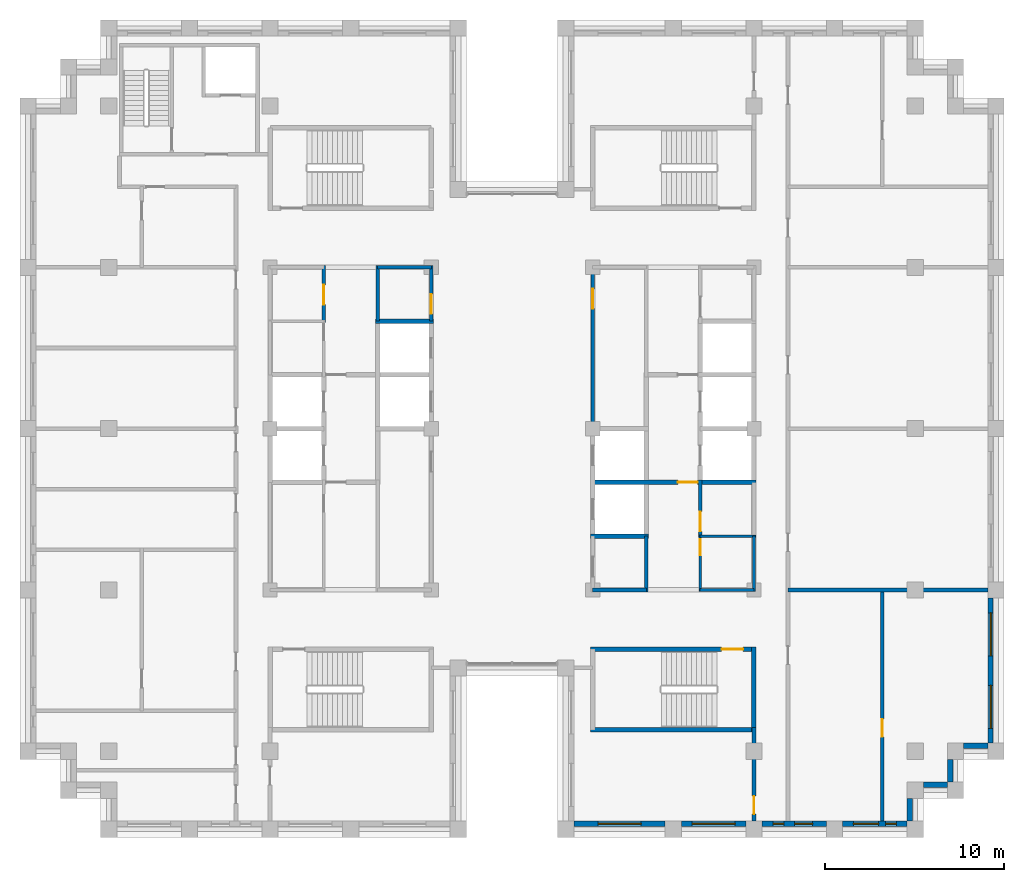
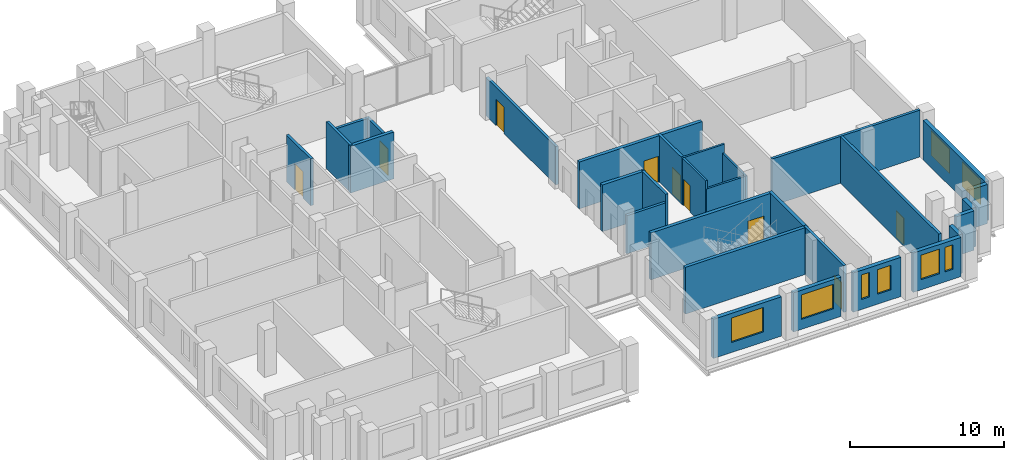
# One storey, part 8 of 13: 30 walls, 9 doors, 8 windows, 17 openings.
"""IFC4 building model written with IfcOpenShell, lengths in metres."""

from ifc_helpers import new_model, si_unit, direction, frame, frame_2d, origin, place, context, subcontext, project, spatial, rectangle, extrude, material, layer, layer_set, type_object, element, fill, save


model = new_model("IFC4")

# Units and contexts
model_context = context("Model", 3, precision=1e-05, world=origin(), true_north=direction((0.0, 1.0)))
body_context = subcontext(model_context, "Body", "Model", "MODEL_VIEW")
ifc_project = project(units=[si_unit("LENGTHUNIT", "METRE"), si_unit("AREAUNIT", "SQUARE_METRE"), si_unit("VOLUMEUNIT", "CUBIC_METRE"), si_unit("PLANEANGLEUNIT", "RADIAN"), si_unit("MASSUNIT", "GRAM", prefix="KILO")], contexts=[model_context])

# Site, building, storey
site_placement = place(None, origin())
site = spatial("IfcSite", under=ifc_project, at=site_placement, CompositionType="ELEMENT")
building_placement = place(site_placement, origin())
building = spatial("IfcBuilding", under=site, at=building_placement, Name="Corbelhall Arena Tower", CompositionType="ELEMENT")
storey_placement = place(building_placement, frame((0.0, 0.0, 282.0)))
storey = spatial("IfcBuildingStorey", under=building, at=storey_placement, Name="L61", CompositionType="ELEMENT", Elevation=282.0)

# Wall, opening, window
ifc_material_1 = material(Name="Precast concrete C40/50 with granite facing", Category="masonry")
ifc_layer_1 = layer(ifc_material_1, 0.300048828125)
ifc_layer_set_1 = layer_set([ifc_layer_1], Name="EV-IW1 Infill panel 300")
wall_type_1 = type_object("IfcWallType", Name="EV-IW1 Infill panel 300", PredefinedType="SOLIDWALL", material=ifc_layer_set_1)
wall_1_placement = place(storey_placement, frame((3.449951171875, -22.050048828125, 0.0), z_axis=(0.0, 0.0, 1.0), x_axis=(1.0, 0.0, 0.0)))
wall_1 = element("IfcWall", 1, at=wall_1_placement, inside=storey, type_object=wall_type_1, Name="Infill panel IW1", PredefinedType="SOLIDWALL", context=body_context, shape_type="SweptSolid", body=[
    extrude(rectangle(XDim=5.10009765625, YDim=0.300048828125, at=frame_2d((2.550048828125, 0.0))), origin(), (0.0, 0.0, 1.0), 3.1201171875),
])
opening_1_placement = place(wall_1_placement, frame((1.35009765625, 0.0, 0.800048828125)))
opening_1 = element("IfcOpeningElement", 2, at=opening_1_placement, cuts=wall_1, Name="Opening WN1", PredefinedType="OPENING", context=body_context, shape_type="SweptSolid", body=[
    extrude(rectangle(XDim=2.39990234375, YDim=1.949951171875, at=frame_2d((1.199951171875, 0.97509765625))), frame((0.0, 0.14990234375, 0.0), z_axis=(0.0, -1.0, 0.0), x_axis=(1.0, 0.0, 0.0)), (0.0, 0.0, 1.0), 0.300048828125),
])
ifc_material_2 = material(Name="Aluminium black anodised", Category="aluminium")
window_type_1 = type_object("IfcWindowType", Name="EV-WN1 Office window", PartitioningType="SINGLE_PANEL", PredefinedType="WINDOW", material=ifc_material_2)
window_1_placement = place(opening_1_placement, origin())
window_1 = element("IfcWindow", 3, at=window_1_placement, inside=storey, type_object=window_type_1, Name="Window WN1", OverallHeight=1.949951171875, OverallWidth=2.39990234375, PartitioningType="SINGLE_PANEL", PredefinedType="WINDOW", context=body_context, shape_type="SweptSolid", body=[
    extrude(rectangle(XDim=2.39990234375, YDim=1.949951171875, at=frame_2d((1.199951171875, 0.97509765625))), frame((0.0, 0.030029296875, 0.0), z_axis=(0.0, -1.0, 0.0), x_axis=(1.0, 0.0, 0.0)), (0.0, 0.0, 1.0), 0.06005859375),
])
fill(opening_1, window_1)

wall_2_placement = place(storey_placement, frame((9.449951171875, -22.050048828125, 0.0), z_axis=(0.0, 0.0, 1.0), x_axis=(1.0, 0.0, 0.0)))
wall_2 = element("IfcWall", 4, at=wall_2_placement, inside=storey, type_object=wall_type_1, Name="Infill panel IW1", PredefinedType="SOLIDWALL", context=body_context, shape_type="SweptSolid", body=[
    extrude(rectangle(XDim=3.60009765625, YDim=0.300048828125, at=frame_2d((1.800048828125, 0.0))), origin(), (0.0, 0.0, 1.0), 3.1201171875),
])
opening_2_placement = place(wall_2_placement, frame((0.60009765625, 0.0, 0.800048828125)))
opening_2 = element("IfcOpeningElement", 5, at=opening_2_placement, cuts=wall_2, Name="Opening WN1", PredefinedType="OPENING", context=body_context, shape_type="SweptSolid", body=[
    extrude(rectangle(XDim=2.39990234375, YDim=1.949951171875, at=frame_2d((1.199951171875, 0.97509765625))), frame((0.0, 0.14990234375, 0.0), z_axis=(0.0, -1.0, 0.0), x_axis=(1.0, 0.0, 0.0)), (0.0, 0.0, 1.0), 0.300048828125),
])
window_2_placement = place(opening_2_placement, origin())
window_2 = element("IfcWindow", 6, at=window_2_placement, inside=storey, type_object=window_type_1, Name="Window WN1", OverallHeight=1.949951171875, OverallWidth=2.39990234375, PartitioningType="SINGLE_PANEL", PredefinedType="WINDOW", context=body_context, shape_type="SweptSolid", body=[
    extrude(rectangle(XDim=2.39990234375, YDim=1.949951171875, at=frame_2d((1.199951171875, 0.97509765625))), frame((0.0, 0.030029296875, 0.0), z_axis=(0.0, -1.0, 0.0), x_axis=(1.0, 0.0, 0.0)), (0.0, 0.0, 1.0), 0.06005859375),
])
fill(opening_2, window_2)

# Wall, openings, windows
wall_3_placement = place(storey_placement, frame((13.949951171875, -22.050048828125, 0.0), z_axis=(0.0, 0.0, 1.0), x_axis=(1.0, 0.0, 0.0)))
wall_3 = element("IfcWall", 7, at=wall_3_placement, inside=storey, type_object=wall_type_1, Name="Infill panel IW1", PredefinedType="SOLIDWALL", context=body_context, shape_type="SweptSolid", body=[
    extrude(rectangle(XDim=3.60009765625, YDim=0.300048828125, at=frame_2d((1.800048828125, 0.0))), origin(), (0.0, 0.0, 1.0), 3.1201171875),
])
opening_3_placement = place(wall_3_placement, frame((0.625, 0.0, 0.800048828125)))
opening_3 = element("IfcOpeningElement", 8, at=opening_3_placement, cuts=wall_3, Name="Opening WN5", PredefinedType="OPENING", context=body_context, shape_type="SweptSolid", body=[
    extrude(rectangle(XDim=0.60009765625, YDim=1.949951171875, at=frame_2d((0.300048828125, 0.97509765625))), frame((0.0, 0.14990234375, 0.0), z_axis=(0.0, -1.0, 0.0), x_axis=(1.0, 0.0, 0.0)), (0.0, 0.0, 1.0), 0.300048828125),
])
opening_4_placement = place(wall_3_placement, frame((1.824951171875, 0.0, 0.800048828125)))
opening_4 = element("IfcOpeningElement", 9, at=opening_4_placement, cuts=wall_3, Name="Opening WN6", PredefinedType="OPENING", context=body_context, shape_type="SweptSolid", body=[
    extrude(rectangle(XDim=1.0, YDim=1.949951171875, at=frame_2d((0.5, 0.97509765625))), frame((0.0, 0.14990234375, 0.0), z_axis=(0.0, -1.0, 0.0), x_axis=(1.0, 0.0, 0.0)), (0.0, 0.0, 1.0), 0.300048828125),
])
window_type_2 = type_object("IfcWindowType", Name="EV-WN5 Office window 600", PartitioningType="SINGLE_PANEL", PredefinedType="WINDOW", material=ifc_material_2)
window_3_placement = place(opening_3_placement, origin())
window_3 = element("IfcWindow", 10, at=window_3_placement, inside=storey, type_object=window_type_2, Name="Window WN5", OverallHeight=1.949951171875, OverallWidth=0.60009765625, PartitioningType="SINGLE_PANEL", PredefinedType="WINDOW", context=body_context, shape_type="SweptSolid", body=[
    extrude(rectangle(XDim=0.60009765625, YDim=1.949951171875, at=frame_2d((0.300048828125, 0.97509765625))), frame((0.0, 0.030029296875, 0.0), z_axis=(0.0, -1.0, 0.0), x_axis=(1.0, 0.0, 0.0)), (0.0, 0.0, 1.0), 0.06005859375),
])
fill(opening_3, window_3)
window_type_3 = type_object("IfcWindowType", Name="EV-WN6 Office window 1000", PartitioningType="SINGLE_PANEL", PredefinedType="WINDOW", material=ifc_material_2)
window_4_placement = place(opening_4_placement, origin())
window_4 = element("IfcWindow", 11, at=window_4_placement, inside=storey, type_object=window_type_3, Name="Window WN6", OverallHeight=1.949951171875, OverallWidth=1.0, PartitioningType="SINGLE_PANEL", PredefinedType="WINDOW", context=body_context, shape_type="SweptSolid", body=[
    extrude(rectangle(XDim=1.0, YDim=1.949951171875, at=frame_2d((0.5, 0.97509765625))), frame((0.0, 0.030029296875, 0.0), z_axis=(0.0, -1.0, 0.0), x_axis=(1.0, 0.0, 0.0)), (0.0, 0.0, 1.0), 0.06005859375),
])
fill(opening_4, window_4)

wall_4_placement = place(storey_placement, frame((18.449951171875, -22.050048828125, 0.0), z_axis=(0.0, 0.0, 1.0), x_axis=(1.0, 0.0, 0.0)))
wall_4 = element("IfcWall", 12, at=wall_4_placement, inside=storey, type_object=wall_type_1, Name="Infill panel IW1", PredefinedType="SOLIDWALL", context=body_context, shape_type="SweptSolid", body=[
    extrude(rectangle(XDim=3.60009765625, YDim=0.300048828125, at=frame_2d((1.800048828125, 0.0))), origin(), (0.0, 0.0, 1.0), 3.1201171875),
])
opening_5_placement = place(wall_4_placement, frame((0.60009765625, 0.0, 0.800048828125)))
opening_5 = element("IfcOpeningElement", 13, at=opening_5_placement, cuts=wall_4, Name="Opening WN7", PredefinedType="OPENING", context=body_context, shape_type="SweptSolid", body=[
    extrude(rectangle(XDim=1.39990234375, YDim=1.949951171875, at=frame_2d((0.699951171875, 0.97509765625))), frame((0.0, 0.14990234375, 0.0), z_axis=(0.0, -1.0, 0.0), x_axis=(1.0, 0.0, 0.0)), (0.0, 0.0, 1.0), 0.300048828125),
])
opening_6_placement = place(wall_4_placement, frame((2.39990234375, 0.0, 0.800048828125)))
opening_6 = element("IfcOpeningElement", 14, at=opening_6_placement, cuts=wall_4, Name="Opening WN5", PredefinedType="OPENING", context=body_context, shape_type="SweptSolid", body=[
    extrude(rectangle(XDim=0.60009765625, YDim=1.949951171875, at=frame_2d((0.300048828125, 0.97509765625))), frame((0.0, 0.14990234375, 0.0), z_axis=(0.0, -1.0, 0.0), x_axis=(1.0, 0.0, 0.0)), (0.0, 0.0, 1.0), 0.300048828125),
])
window_5_placement = place(opening_6_placement, origin())
window_5 = element("IfcWindow", 15, at=window_5_placement, inside=storey, type_object=window_type_2, Name="Window WN5", OverallHeight=1.949951171875, OverallWidth=0.60009765625, PartitioningType="SINGLE_PANEL", PredefinedType="WINDOW", context=body_context, shape_type="SweptSolid", body=[
    extrude(rectangle(XDim=0.60009765625, YDim=1.949951171875, at=frame_2d((0.300048828125, 0.97509765625))), frame((0.0, 0.030029296875, 0.0), z_axis=(0.0, -1.0, 0.0), x_axis=(1.0, 0.0, 0.0)), (0.0, 0.0, 1.0), 0.06005859375),
])
fill(opening_6, window_5)
window_type_4 = type_object("IfcWindowType", Name="EV-WN7 Office window 1400", PartitioningType="SINGLE_PANEL", PredefinedType="WINDOW", material=ifc_material_2)
window_6_placement = place(opening_5_placement, origin())
window_6 = element("IfcWindow", 16, at=window_6_placement, inside=storey, type_object=window_type_4, Name="Window WN7", OverallHeight=1.949951171875, OverallWidth=1.39990234375, PartitioningType="SINGLE_PANEL", PredefinedType="WINDOW", context=body_context, shape_type="SweptSolid", body=[
    extrude(rectangle(XDim=1.39990234375, YDim=1.949951171875, at=frame_2d((0.699951171875, 0.97509765625))), frame((0.0, 0.030029296875, 0.0), z_axis=(0.0, -1.0, 0.0), x_axis=(1.0, 0.0, 0.0)), (0.0, 0.0, 1.0), 0.06005859375),
])
fill(opening_5, window_6)

# Walls
wall_5_placement = place(storey_placement, frame((22.199951171875, -21.89990234375, 0.0), z_axis=(0.0, 0.0, 1.0), x_axis=(0.0, 1.0, 0.0)))
element("IfcWall", 17, at=wall_5_placement, inside=storey, type_object=wall_type_1, Name="Infill panel IW1", PredefinedType="SOLIDWALL", context=body_context, shape_type="SweptSolid", body=[
    extrude(rectangle(XDim=1.27490234375, YDim=0.300048828125, at=frame_2d((0.637451171875, 0.0))), origin(), (0.0, 0.0, 1.0), 3.1201171875),
])
wall_6_placement = place(storey_placement, frame((22.949951171875, -19.875, 0.0), z_axis=(0.0, 0.0, 1.0), x_axis=(1.0, 0.0, 0.0)))
element("IfcWall", 18, at=wall_6_placement, inside=storey, type_object=wall_type_1, Name="Infill panel IW1", PredefinedType="SOLIDWALL", context=body_context, shape_type="SweptSolid", body=[
    extrude(rectangle(XDim=1.35009765625, YDim=0.300048828125, at=frame_2d((0.675048828125, 0.0))), origin(), (0.0, 0.0, 1.0), 3.1201171875),
])
wall_7_placement = place(storey_placement, frame((24.449951171875, -19.72509765625, 0.0), z_axis=(0.0, 0.0, 1.0), x_axis=(0.0, 1.0, 0.0)))
element("IfcWall", 19, at=wall_7_placement, inside=storey, type_object=wall_type_1, Name="Infill panel IW1", PredefinedType="SOLIDWALL", context=body_context, shape_type="SweptSolid", body=[
    extrude(rectangle(XDim=1.275146484375, YDim=0.300048828125, at=frame_2d((0.6376953125, 0.0))), origin(), (0.0, 0.0, 1.0), 3.1201171875),
])
wall_8_placement = place(storey_placement, frame((25.199951171875, -17.699951171875, 0.0), z_axis=(0.0, 0.0, 1.0), x_axis=(1.0, 0.0, 0.0)))
element("IfcWall", 20, at=wall_8_placement, inside=storey, type_object=wall_type_1, Name="Infill panel IW1", PredefinedType="SOLIDWALL", context=body_context, shape_type="SweptSolid", body=[
    extrude(rectangle(XDim=1.35009765625, YDim=0.300048828125, at=frame_2d((0.675048828125, 0.0))), origin(), (0.0, 0.0, 1.0), 3.1201171875),
])

# Wall, openings, windows
wall_9_placement = place(storey_placement, frame((26.699951171875, -17.550048828125, 0.0), z_axis=(0.0, 0.0, 1.0), x_axis=(0.0, 1.0, 0.0)))
wall_9 = element("IfcWall", 21, at=wall_9_placement, inside=storey, type_object=wall_type_1, Name="Infill panel IW1", PredefinedType="SOLIDWALL", context=body_context, shape_type="SweptSolid", body=[
    extrude(rectangle(XDim=8.10009765625, YDim=0.300048828125, at=frame_2d((4.050048828125, 0.0))), origin(), (0.0, 0.0, 1.0), 3.1201171875),
])
opening_7_placement = place(wall_9_placement, frame((0.824951171875, 0.0, 0.800048828125)))
opening_7 = element("IfcOpeningElement", 22, at=opening_7_placement, cuts=wall_9, Name="Opening WN1", PredefinedType="OPENING", context=body_context, shape_type="SweptSolid", body=[
    extrude(rectangle(XDim=2.39990234375, YDim=1.949951171875, at=frame_2d((1.199951171875, 0.97509765625))), frame((0.0, 0.14990234375, 0.0), z_axis=(0.0, -1.0, 0.0), x_axis=(1.0, 0.0, 0.0)), (0.0, 0.0, 1.0), 0.300048828125),
])
opening_8_placement = place(wall_9_placement, frame((4.875, 0.0, 0.800048828125)))
opening_8 = element("IfcOpeningElement", 23, at=opening_8_placement, cuts=wall_9, Name="Opening WN1", PredefinedType="OPENING", context=body_context, shape_type="SweptSolid", body=[
    extrude(rectangle(XDim=2.39990234375, YDim=1.949951171875, at=frame_2d((1.199951171875, 0.97509765625))), frame((0.0, 0.14990234375, 0.0), z_axis=(0.0, -1.0, 0.0), x_axis=(1.0, 0.0, 0.0)), (0.0, 0.0, 1.0), 0.300048828125),
])
window_7_placement = place(opening_7_placement, origin())
window_7 = element("IfcWindow", 24, at=window_7_placement, inside=storey, type_object=window_type_1, Name="Window WN1", OverallHeight=1.949951171875, OverallWidth=2.39990234375, PartitioningType="SINGLE_PANEL", PredefinedType="WINDOW", context=body_context, shape_type="SweptSolid", body=[
    extrude(rectangle(XDim=2.39990234375, YDim=1.949951171875, at=frame_2d((1.199951171875, 0.97509765625))), frame((0.0, 0.030029296875, 0.0), z_axis=(0.0, -1.0, 0.0), x_axis=(1.0, 0.0, 0.0)), (0.0, 0.0, 1.0), 0.06005859375),
])
fill(opening_7, window_7)
window_8_placement = place(opening_8_placement, origin())
window_8 = element("IfcWindow", 25, at=window_8_placement, inside=storey, type_object=window_type_1, Name="Window WN1", OverallHeight=1.949951171875, OverallWidth=2.39990234375, PartitioningType="SINGLE_PANEL", PredefinedType="WINDOW", context=body_context, shape_type="SweptSolid", body=[
    extrude(rectangle(XDim=2.39990234375, YDim=1.949951171875, at=frame_2d((1.199951171875, 0.97509765625))), frame((0.0, 0.030029296875, 0.0), z_axis=(0.0, -1.0, 0.0), x_axis=(1.0, 0.0, 0.0)), (0.0, 0.0, 1.0), 0.06005859375),
])
fill(opening_8, window_8)

# Wall, opening, door
ifc_material_3 = material(Name="Gypsum board on steel stud, acoustic", Category="steel")
ifc_layer_2 = layer(ifc_material_3, 0.199951171875)
ifc_layer_set_2 = layer_set([ifc_layer_2], Name="IN-W-DM200")
wall_type_2 = type_object("IfcWallType", Name="IN-W-DM200", PredefinedType="PARTITIONING", material=ifc_layer_set_2)
wall_10_placement = place(storey_placement, frame((13.5, -21.89990234375, 0.0), z_axis=(0.0, 0.0, 1.0), x_axis=(0.0, 1.0, 0.0)))
wall_10 = element("IfcWall", 26, at=wall_10_placement, inside=storey, type_object=wall_type_2, Name="Partition 017", PredefinedType="PARTITIONING", context=body_context, shape_type="SweptSolid", body=[
    extrude(rectangle(XDim=5.224853515625, YDim=0.199951171875, at=frame_2d((2.6123046875, 0.0))), origin(), (0.0, 0.0, 1.0), 3.719970703125),
])
opening_9_placement = place(wall_10_placement, frame((0.39990234375, 0.0, 0.0)))
opening_9 = element("IfcOpeningElement", 27, at=opening_9_placement, cuts=wall_10, Name="Opening 19021", PredefinedType="OPENING", context=body_context, shape_type="SweptSolid", body=[
    extrude(rectangle(XDim=1.0, YDim=2.10009765625, at=frame_2d((0.5, 1.050048828125))), frame((0.0, 0.10009765625, 0.0), z_axis=(0.0, -1.0, 0.0), x_axis=(1.0, 0.0, 0.0)), (0.0, 0.0, 1.0), 0.199951171875),
])
ifc_material_4 = material(Name="Steel door set", Category="steel")
door_type_1 = type_object("IfcDoorType", Name="IN-D-SW100", OperationType="NOTDEFINED", PredefinedType="DOOR", material=ifc_material_4)
door_1_placement = place(opening_9_placement, origin())
door_1 = element("IfcDoor", 28, at=door_1_placement, inside=storey, type_object=door_type_1, Name="Door 021", OperationType="SINGLE_SWING_RIGHT", OverallHeight=2.10009765625, OverallWidth=1.0, PredefinedType="DOOR", context=body_context, shape_type="SweptSolid", body=[
    extrude(rectangle(XDim=1.0, YDim=2.10009765625, at=frame_2d((0.5, 1.050048828125))), frame((0.0, 0.02490234375, 0.0), z_axis=(0.0, -1.0, 0.0), x_axis=(1.0, 0.0, 0.0)), (0.0, 0.0, 1.0), 0.050048828125),
])
fill(opening_9, door_1)

# Wall
wall_11_placement = place(storey_placement, frame((15.39990234375, -9.0, 0.0), z_axis=(0.0, 0.0, 1.0), x_axis=(1.0, 0.0, 0.0)))
element("IfcWall", 29, at=wall_11_placement, inside=storey, type_object=wall_type_2, Name="Partition 019", PredefinedType="PARTITIONING", context=body_context, shape_type="SweptSolid", body=[
    extrude(rectangle(XDim=11.150146484375, YDim=0.199951171875, at=frame_2d((5.5751953125, 0.0))), origin(), (0.0, 0.0, 1.0), 3.719970703125),
])

# Wall, opening, door
wall_12_placement = place(storey_placement, frame((20.64990234375, -8.89990234375, 0.0), z_axis=(0.0, 0.0, 1.0), x_axis=(0.0, -1.0, 0.0)))
wall_12 = element("IfcWall", 30, at=wall_12_placement, inside=storey, type_object=wall_type_2, Name="Partition 023", PredefinedType="PARTITIONING", context=body_context, shape_type="SweptSolid", body=[
    extrude(rectangle(XDim=13.0, YDim=0.199951171875, at=frame_2d((6.5, 0.0))), origin(), (0.0, 0.0, 1.0), 3.719970703125),
])
opening_10_placement = place(wall_12_placement, frame((7.300048828125, 0.0, 0.0)))
opening_10 = element("IfcOpeningElement", 31, at=opening_10_placement, cuts=wall_12, Name="Opening 19037", PredefinedType="OPENING", context=body_context, shape_type="SweptSolid", body=[
    extrude(rectangle(XDim=1.0, YDim=2.10009765625, at=frame_2d((0.5, 1.050048828125))), frame((0.0, 0.10009765625, 0.0), z_axis=(0.0, -1.0, 0.0), x_axis=(1.0, 0.0, 0.0)), (0.0, 0.0, 1.0), 0.199951171875),
])
door_2_placement = place(opening_10_placement, origin())
door_2 = element("IfcDoor", 32, at=door_2_placement, inside=storey, type_object=door_type_1, Name="Door 037", OperationType="SINGLE_SWING_RIGHT", OverallHeight=2.10009765625, OverallWidth=1.0, PredefinedType="DOOR", context=body_context, shape_type="SweptSolid", body=[
    extrude(rectangle(XDim=1.0, YDim=2.10009765625, at=frame_2d((0.5, 1.050048828125))), frame((0.0, 0.02490234375, 0.0), z_axis=(0.0, -1.0, 0.0), x_axis=(1.0, 0.0, 0.0)), (0.0, 0.0, 1.0), 0.050048828125),
])
fill(opening_10, door_2)

ifc_material_5 = material(Name="Concrete block wall", Category="concrete")
ifc_layer_3 = layer(ifc_material_5, 0.199951171875)
ifc_layer_set_3 = layer_set([ifc_layer_3], Name="IN-W-RS200")
wall_type_3 = type_object("IfcWallType", Name="IN-W-RS200", PredefinedType="SOLIDWALL", material=ifc_layer_set_3)
wall_13_placement = place(storey_placement, frame((-10.5, 5.925048828125, 0.0), z_axis=(0.0, 0.0, 1.0), x_axis=(0.0, 1.0, 0.0)))
wall_13 = element("IfcWall", 33, at=wall_13_placement, inside=storey, type_object=wall_type_3, Name="Partition 028", PredefinedType="SOLIDWALL", context=body_context, shape_type="SweptSolid", body=[
    extrude(rectangle(XDim=3.175048828125, YDim=0.199951171875, at=frame_2d((1.58740234375, 0.0))), origin(), (0.0, 0.0, 1.0), 3.719970703125),
])
opening_11_placement = place(wall_13_placement, frame((1.0, 0.0, 0.0)))
opening_11 = element("IfcOpeningElement", 34, at=opening_11_placement, cuts=wall_13, Name="Opening 19007", PredefinedType="OPENING", context=body_context, shape_type="SweptSolid", body=[
    extrude(rectangle(XDim=1.10009765625, YDim=2.10009765625, at=frame_2d((0.550048828125, 1.050048828125))), frame((0.0, 0.10009765625, 0.0), z_axis=(0.0, -1.0, 0.0), x_axis=(1.0, 0.0, 0.0)), (0.0, 0.0, 1.0), 0.199951171875),
])
door_type_2 = type_object("IfcDoorType", Name="IN-D-FD110", OperationType="NOTDEFINED", PredefinedType="DOOR", material=ifc_material_4)
door_3_placement = place(opening_11_placement, origin())
door_3 = element("IfcDoor", 35, at=door_3_placement, inside=storey, type_object=door_type_2, Name="Door 007", OperationType="SINGLE_SWING_RIGHT", OverallHeight=2.10009765625, OverallWidth=1.10009765625, PredefinedType="DOOR", context=body_context, shape_type="SweptSolid", body=[
    extrude(rectangle(XDim=1.10009765625, YDim=2.10009765625, at=frame_2d((0.550048828125, 1.050048828125))), frame((0.0, 0.02490234375, 0.0), z_axis=(0.0, -1.0, 0.0), x_axis=(1.0, 0.0, 0.0)), (0.0, 0.0, 1.0), 0.050048828125),
])
fill(opening_11, door_3)

# Walls
for number, where, z_axis, x_axis, name in (
    (36, (-7.5, 6.0, 0.0), (0.0, 0.0, 1.0), (0.0, 1.0, 0.0), "Partition 030"),
    (37, (7.5, -6.0, 0.0), (0.0, 0.0, 1.0), (0.0, -1.0, 0.0), "Partition 039"),
):
    element("IfcWall", number, at=place(storey_placement, frame(where, z_axis=z_axis, x_axis=x_axis)), inside=storey, type_object=wall_type_3, Name=name, PredefinedType="SOLIDWALL", context=body_context, shape_type="SweptSolid", body=[
        extrude(rectangle(XDim=3.10009765625, YDim=0.199951171875, at=frame_2d((1.550048828125, 0.0))), origin(), (0.0, 0.0, 1.0), 3.719970703125),
    ])

# Wall, opening, door
wall_14_placement = place(storey_placement, frame((10.5, -2.875, 0.0), z_axis=(0.0, 0.0, 1.0), x_axis=(0.0, -1.0, 0.0)))
wall_14 = element("IfcWall", 38, at=wall_14_placement, inside=storey, type_object=wall_type_3, Name="Partition 041", PredefinedType="SOLIDWALL", context=body_context, shape_type="SweptSolid", body=[
    extrude(rectangle(XDim=3.199951171875, YDim=0.199951171875, at=frame_2d((1.60009765625, 0.0))), origin(), (0.0, 0.0, 1.0), 3.719970703125),
])
opening_12_placement = place(wall_14_placement, frame((1.75, 0.0, 0.0)))
opening_12 = element("IfcOpeningElement", 39, at=opening_12_placement, cuts=wall_14, Name="Opening 19013", PredefinedType="OPENING", context=body_context, shape_type="SweptSolid", body=[
    extrude(rectangle(XDim=1.10009765625, YDim=2.10009765625, at=frame_2d((0.550048828125, 1.050048828125))), frame((0.0, 0.10009765625, 0.0), z_axis=(0.0, -1.0, 0.0), x_axis=(1.0, 0.0, 0.0)), (0.0, 0.0, 1.0), 0.199951171875),
])
door_4_placement = place(opening_12_placement, origin())
door_4 = element("IfcDoor", 40, at=door_4_placement, inside=storey, type_object=door_type_2, Name="Door 013", OperationType="SINGLE_SWING_RIGHT", OverallHeight=2.10009765625, OverallWidth=1.10009765625, PredefinedType="DOOR", context=body_context, shape_type="SweptSolid", body=[
    extrude(rectangle(XDim=1.10009765625, YDim=2.10009765625, at=frame_2d((0.550048828125, 1.050048828125))), frame((0.0, 0.02490234375, 0.0), z_axis=(0.0, -1.0, 0.0), x_axis=(1.0, 0.0, 0.0)), (0.0, 0.0, 1.0), 0.050048828125),
])
fill(opening_12, door_4)

# Wall
ifc_layer_4 = layer(ifc_material_5, 0.199951171875)
ifc_layer_set_4 = layer_set([ifc_layer_4], Name="IN-W-RS200 under beam 678 mm")
wall_type_4 = type_object("IfcWallType", Name="IN-W-RS200 under beam 678 mm", PredefinedType="SOLIDWALL", material=ifc_layer_set_4)
wall_15_placement = place(storey_placement, frame((-7.5, 9.0, 0.0), z_axis=(0.0, 0.0, 1.0), x_axis=(1.0, 0.0, 0.0)))
element("IfcWall", 41, at=wall_15_placement, inside=storey, type_object=wall_type_4, Name="Partition 031", PredefinedType="SOLIDWALL", context=body_context, shape_type="SweptSolid", body=[
    extrude(rectangle(XDim=3.0, YDim=0.199951171875, at=frame_2d((1.5, 0.0))), origin(), (0.0, 0.0, 1.0), 3.041748046875),
])

# Wall, opening, door
wall_16_placement = place(storey_placement, frame((-4.5, 9.10009765625, 0.0), z_axis=(0.0, 0.0, 1.0), x_axis=(0.0, -1.0, 0.0)))
wall_16 = element("IfcWall", 42, at=wall_16_placement, inside=storey, type_object=wall_type_4, Name="Partition 034", PredefinedType="SOLIDWALL", context=body_context, shape_type="SweptSolid", body=[
    extrude(rectangle(XDim=3.10009765625, YDim=0.199951171875, at=frame_2d((1.550048828125, 0.0))), origin(), (0.0, 0.0, 1.0), 3.041748046875),
])
opening_13_placement = place(wall_16_placement, frame((1.60009765625, 0.0, 0.0)))
opening_13 = element("IfcOpeningElement", 43, at=opening_13_placement, cuts=wall_16, Name="Opening 19002", PredefinedType="OPENING", context=body_context, shape_type="SweptSolid", body=[
    extrude(rectangle(XDim=1.10009765625, YDim=2.10009765625, at=frame_2d((0.550048828125, 1.050048828125))), frame((0.0, 0.10009765625, 0.0), z_axis=(0.0, -1.0, 0.0), x_axis=(1.0, 0.0, 0.0)), (0.0, 0.0, 1.0), 0.199951171875),
])
door_5_placement = place(opening_13_placement, origin())
door_5 = element("IfcDoor", 44, at=door_5_placement, inside=storey, type_object=door_type_2, Name="Door 002", OperationType="SINGLE_SWING_LEFT", OverallHeight=2.10009765625, OverallWidth=1.10009765625, PredefinedType="DOOR", context=body_context, shape_type="SweptSolid", body=[
    extrude(rectangle(XDim=1.10009765625, YDim=2.10009765625, at=frame_2d((0.550048828125, 1.050048828125))), frame((0.0, 0.02490234375, 0.0), z_axis=(0.0, -1.0, 0.0), x_axis=(1.0, 0.0, 0.0)), (0.0, 0.0, 1.0), 0.050048828125),
])
fill(opening_13, door_5)

wall_17_placement = place(storey_placement, frame((4.5, 0.0, 0.0), z_axis=(0.0, 0.0, 1.0), x_axis=(0.0, 1.0, 0.0)))
wall_17 = element("IfcWall", 45, at=wall_17_placement, inside=storey, type_object=wall_type_4, Name="Partition 036", PredefinedType="SOLIDWALL", context=body_context, shape_type="SweptSolid", body=[
    extrude(rectangle(XDim=9.10009765625, YDim=0.199951171875, at=frame_2d((4.550048828125, 0.0))), origin(), (0.0, 0.0, 1.0), 3.041748046875),
])
opening_14_placement = place(wall_17_placement, frame((6.699951171875, 0.0, 0.0)))
opening_14 = element("IfcOpeningElement", 46, at=opening_14_placement, cuts=wall_17, Name="Opening 19009", PredefinedType="OPENING", context=body_context, shape_type="SweptSolid", body=[
    extrude(rectangle(XDim=1.10009765625, YDim=2.10009765625, at=frame_2d((0.550048828125, 1.050048828125))), frame((0.0, 0.10009765625, 0.0), z_axis=(0.0, -1.0, 0.0), x_axis=(1.0, 0.0, 0.0)), (0.0, 0.0, 1.0), 0.199951171875),
])
door_6_placement = place(opening_14_placement, origin())
door_6 = element("IfcDoor", 47, at=door_6_placement, inside=storey, type_object=door_type_2, Name="Door 009", OperationType="SINGLE_SWING_RIGHT", OverallHeight=2.10009765625, OverallWidth=1.10009765625, PredefinedType="DOOR", context=body_context, shape_type="SweptSolid", body=[
    extrude(rectangle(XDim=1.10009765625, YDim=2.10009765625, at=frame_2d((0.550048828125, 1.050048828125))), frame((0.0, 0.02490234375, 0.0), z_axis=(0.0, -1.0, 0.0), x_axis=(1.0, 0.0, 0.0)), (0.0, 0.0, 1.0), 0.050048828125),
])
fill(opening_14, door_6)

# Walls
wall_18_placement = place(storey_placement, frame((7.5, -9.0, 0.0), z_axis=(0.0, 0.0, 1.0), x_axis=(-1.0, 0.0, 0.0)))
element("IfcWall", 48, at=wall_18_placement, inside=storey, type_object=wall_type_4, Name="Partition 038", PredefinedType="SOLIDWALL", context=body_context, shape_type="SweptSolid", body=[
    extrude(rectangle(XDim=3.0, YDim=0.199951171875, at=frame_2d((1.5, 0.0))), origin(), (0.0, 0.0, 1.0), 3.041748046875),
])
ifc_material_6 = material(Name="Concrete C40/50", Category="concrete")
ifc_layer_5 = layer(ifc_material_6, 0.25)
ifc_layer_set_5 = layer_set([ifc_layer_5], Name="IN-W-SH250")
wall_type_5 = type_object("IfcWallType", Name="IN-W-SH250", PredefinedType="SOLIDWALL", material=ifc_layer_set_5)
for number, where, z_axis, x_axis, name in (
    (49, (-7.625, 6.0, 0.0), (0.0, 0.0, 1.0), (1.0, 0.0, 0.0), "Shaft wall 052"),
    (50, (4.375, -6.0, 0.0), (0.0, 0.0, 1.0), (1.0, 0.0, 0.0), "Shaft wall 055"),
):
    element("IfcWall", number, at=place(storey_placement, frame(where, z_axis=z_axis, x_axis=x_axis)), inside=storey, type_object=wall_type_5, Name=name, PredefinedType="SOLIDWALL", context=body_context, shape_type="SweptSolid", body=[
        extrude(rectangle(XDim=3.25, YDim=0.25, at=frame_2d((1.625, 0.0))), origin(), (0.0, 0.0, 1.0), 3.719970703125),
    ])

# Wall, opening, door
wall_19_placement = place(storey_placement, frame((4.375, -3.0, 0.0), z_axis=(0.0, 0.0, 1.0), x_axis=(1.0, 0.0, 0.0)))
wall_19 = element("IfcWall", 51, at=wall_19_placement, inside=storey, type_object=wall_type_5, Name="Shaft wall 056", PredefinedType="SOLIDWALL", context=body_context, shape_type="SweptSolid", body=[
    extrude(rectangle(XDim=9.25, YDim=0.25, at=frame_2d((4.625, 0.0))), origin(), (0.0, 0.0, 1.0), 3.719970703125),
])
opening_15_placement = place(wall_19_placement, frame((4.875, 0.0, 0.0)))
opening_15 = element("IfcOpeningElement", 52, at=opening_15_placement, cuts=wall_19, Name="Opening 19010", PredefinedType="OPENING", context=body_context, shape_type="SweptSolid", body=[
    extrude(rectangle(XDim=1.10009765625, YDim=2.10009765625, at=frame_2d((0.550048828125, 1.050048828125))), frame((0.0, 0.125, 0.0), z_axis=(0.0, -1.0, 0.0), x_axis=(1.0, 0.0, 0.0)), (0.0, 0.0, 1.0), 0.25),
])
door_7_placement = place(opening_15_placement, origin())
door_7 = element("IfcDoor", 53, at=door_7_placement, inside=storey, type_object=door_type_2, Name="Door 010", OperationType="SINGLE_SWING_LEFT", OverallHeight=2.10009765625, OverallWidth=1.10009765625, PredefinedType="DOOR", context=body_context, shape_type="SweptSolid", body=[
    extrude(rectangle(XDim=1.10009765625, YDim=2.10009765625, at=frame_2d((0.550048828125, 1.050048828125))), frame((0.0, 0.02490234375, 0.0), z_axis=(0.0, -1.0, 0.0), x_axis=(1.0, 0.0, 0.0)), (0.0, 0.0, 1.0), 0.050048828125),
])
fill(opening_15, door_7)

# Walls
ifc_layer_6 = layer(ifc_material_6, 0.25)
ifc_layer_set_6 = layer_set([ifc_layer_6], Name="IN-W-ST250")
wall_type_6 = type_object("IfcWallType", Name="IN-W-ST250", PredefinedType="SOLIDWALL", material=ifc_layer_set_6)
wall_20_placement = place(storey_placement, frame((13.5, -16.925048828125, 0.0), z_axis=(0.0, 0.0, 1.0), x_axis=(0.0, 1.0, 0.0)))
element("IfcWall", 54, at=wall_20_placement, inside=storey, type_object=wall_type_6, Name="Shaft wall 078", PredefinedType="SOLIDWALL", context=body_context, shape_type="SweptSolid", body=[
    extrude(rectangle(XDim=4.75, YDim=0.25, at=frame_2d((2.375, 0.0))), origin(), (0.0, 0.0, 1.0), 3.719970703125),
])
wall_21_placement = place(storey_placement, frame((13.5, -16.800048828125, 0.0), z_axis=(0.0, 0.0, 1.0), x_axis=(-1.0, 0.0, 0.0)))
element("IfcWall", 55, at=wall_21_placement, inside=storey, type_object=wall_type_6, Name="Shaft wall 079", PredefinedType="SOLIDWALL", context=body_context, shape_type="SweptSolid", body=[
    extrude(rectangle(XDim=9.125, YDim=0.25, at=frame_2d((4.5625, 0.0))), origin(), (0.0, 0.0, 1.0), 3.719970703125),
])

# Wall, opening, door
wall_22_placement = place(storey_placement, frame((13.5, -12.300048828125, 0.0), z_axis=(0.0, 0.0, 1.0), x_axis=(-1.0, 0.0, 0.0)))
wall_22 = element("IfcWall", 56, at=wall_22_placement, inside=storey, type_object=wall_type_6, Name="Shaft wall 080", PredefinedType="SOLIDWALL", context=body_context, shape_type="SweptSolid", body=[
    extrude(rectangle(XDim=9.125, YDim=0.25, at=frame_2d((4.5625, 0.0))), origin(), (0.0, 0.0, 1.0), 3.719970703125),
])
opening_16_placement = place(wall_22_placement, frame((0.60009765625, 0.0, 0.0)))
opening_16 = element("IfcOpeningElement", 57, at=opening_16_placement, cuts=wall_22, Name="Opening 19018", PredefinedType="OPENING", context=body_context, shape_type="SweptSolid", body=[
    extrude(rectangle(XDim=1.199951171875, YDim=2.10009765625, at=frame_2d((0.60009765625, 1.050048828125))), frame((0.0, 0.125, 0.0), z_axis=(0.0, -1.0, 0.0), x_axis=(1.0, 0.0, 0.0)), (0.0, 0.0, 1.0), 0.25),
])
door_type_3 = type_object("IfcDoorType", Name="IN-D-ST120", OperationType="NOTDEFINED", PredefinedType="DOOR", material=ifc_material_4)
door_8_placement = place(opening_16_placement, origin())
door_8 = element("IfcDoor", 58, at=door_8_placement, inside=storey, type_object=door_type_3, Name="Door 018", OperationType="SINGLE_SWING_LEFT", OverallHeight=2.10009765625, OverallWidth=1.199951171875, PredefinedType="DOOR", context=body_context, shape_type="SweptSolid", body=[
    extrude(rectangle(XDim=1.199951171875, YDim=2.10009765625, at=frame_2d((0.60009765625, 1.050048828125))), frame((0.0, 0.02490234375, 0.0), z_axis=(0.0, -1.0, 0.0), x_axis=(1.0, 0.0, 0.0)), (0.0, 0.0, 1.0), 0.050048828125),
])
fill(opening_16, door_8)

# Wall
ifc_material_7 = material(Name="Gypsum board on steel stud, moisture resistant", Category="steel")
ifc_layer_7 = layer(ifc_material_7, 0.14990234375)
ifc_layer_set_7 = layer_set([ifc_layer_7], Name="IN-W-WC150")
wall_type_7 = type_object("IfcWallType", Name="IN-W-WC150", PredefinedType="PARTITIONING", material=ifc_layer_set_7)
wall_23_placement = place(storey_placement, frame((10.5, -6.0, 0.0), z_axis=(0.0, 0.0, 1.0), x_axis=(1.0, 0.0, 0.0)))
element("IfcWall", 59, at=wall_23_placement, inside=storey, type_object=wall_type_7, Name="Partition 088", PredefinedType="PARTITIONING", context=body_context, shape_type="SweptSolid", body=[
    extrude(rectangle(XDim=3.10009765625, YDim=0.14990234375, at=frame_2d((1.550048828125, 0.0))), origin(), (0.0, 0.0, 1.0), 3.719970703125),
])

# Wall, opening, door
wall_24_placement = place(storey_placement, frame((10.5, -5.925048828125, 0.0), z_axis=(0.0, 0.0, 1.0), x_axis=(0.0, -1.0, 0.0)))
wall_24 = element("IfcWall", 60, at=wall_24_placement, inside=storey, type_object=wall_type_7, Name="Partition 089", PredefinedType="PARTITIONING", context=body_context, shape_type="SweptSolid", body=[
    extrude(rectangle(XDim=3.14990234375, YDim=0.14990234375, at=frame_2d((1.574951171875, 0.0))), origin(), (0.0, 0.0, 1.0), 3.719970703125),
])
opening_17_placement = place(wall_24_placement, frame((0.25, 0.0, 0.0)))
opening_17 = element("IfcOpeningElement", 61, at=opening_17_placement, cuts=wall_24, Name="Opening 19012", PredefinedType="OPENING", context=body_context, shape_type="SweptSolid", body=[
    extrude(rectangle(XDim=0.89990234375, YDim=2.10009765625, at=frame_2d((0.449951171875, 1.050048828125))), frame((0.0, 0.074951171875, 0.0), z_axis=(0.0, -1.0, 0.0), x_axis=(1.0, 0.0, 0.0)), (0.0, 0.0, 1.0), 0.14990234375),
])
ifc_material_8 = material(Name="Timber door set", Category="wood")
door_type_4 = type_object("IfcDoorType", Name="IN-D-SW90", OperationType="NOTDEFINED", PredefinedType="DOOR", material=ifc_material_8)
door_9_placement = place(opening_17_placement, origin())
door_9 = element("IfcDoor", 62, at=door_9_placement, inside=storey, type_object=door_type_4, Name="Door 012", OperationType="SINGLE_SWING_LEFT", OverallHeight=2.10009765625, OverallWidth=0.89990234375, PredefinedType="DOOR", context=body_context, shape_type="SweptSolid", body=[
    extrude(rectangle(XDim=0.89990234375, YDim=2.10009765625, at=frame_2d((0.449951171875, 1.050048828125))), frame((0.0, 0.02490234375, 0.0), z_axis=(0.0, -1.0, 0.0), x_axis=(1.0, 0.0, 0.0)), (0.0, 0.0, 1.0), 0.050048828125),
])
fill(opening_17, door_9)

# Walls
ifc_layer_8 = layer(ifc_material_7, 0.14990234375)
ifc_layer_set_8 = layer_set([ifc_layer_8], Name="IN-W-WC150 under beam 678 mm")
wall_type_8 = type_object("IfcWallType", Name="IN-W-WC150 under beam 678 mm", PredefinedType="PARTITIONING", material=ifc_layer_set_8)
wall_25_placement = place(storey_placement, frame((13.5, -9.0, 0.0), z_axis=(0.0, 0.0, 1.0), x_axis=(-1.0, 0.0, 0.0)))
element("IfcWall", 63, at=wall_25_placement, inside=storey, type_object=wall_type_8, Name="Partition 090", PredefinedType="PARTITIONING", context=body_context, shape_type="SweptSolid", body=[
    extrude(rectangle(XDim=3.0, YDim=0.14990234375, at=frame_2d((1.5, 0.0))), origin(), (0.0, 0.0, 1.0), 3.041748046875),
])
wall_26_placement = place(storey_placement, frame((13.5, -6.0, 0.0), z_axis=(0.0, 0.0, 1.0), x_axis=(0.0, -1.0, 0.0)))
element("IfcWall", 64, at=wall_26_placement, inside=storey, type_object=wall_type_8, Name="Partition 091", PredefinedType="PARTITIONING", context=body_context, shape_type="SweptSolid", body=[
    extrude(rectangle(XDim=3.074951171875, YDim=0.14990234375, at=frame_2d((1.53759765625, 0.0))), origin(), (0.0, 0.0, 1.0), 3.041748046875),
])

save(model, "model.ifc")
